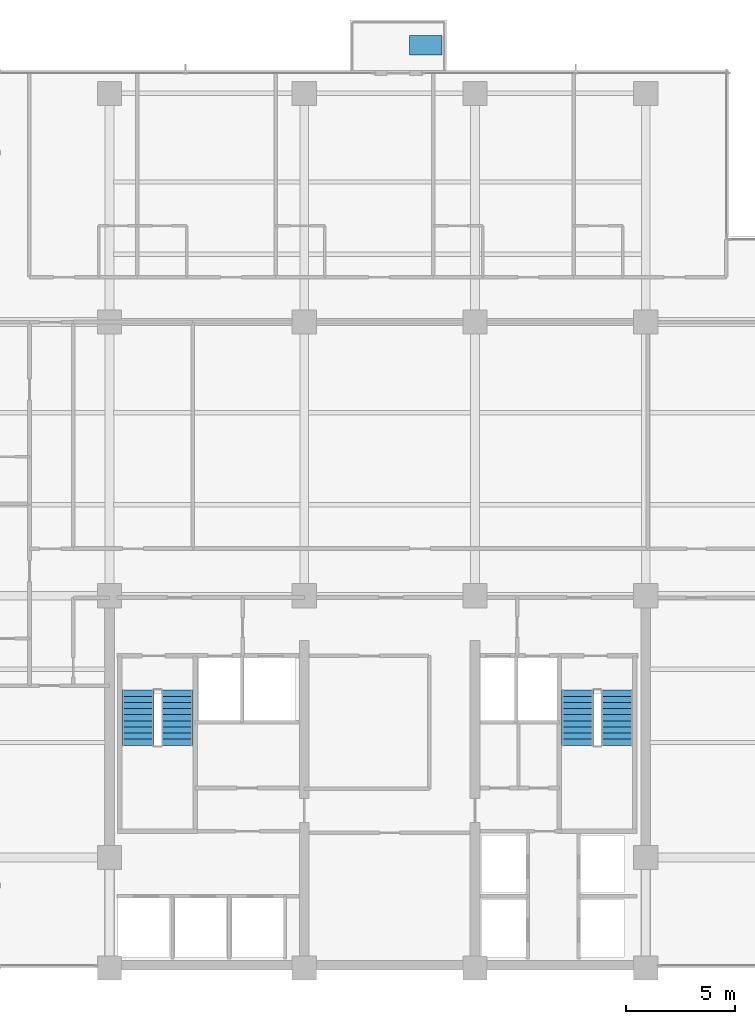
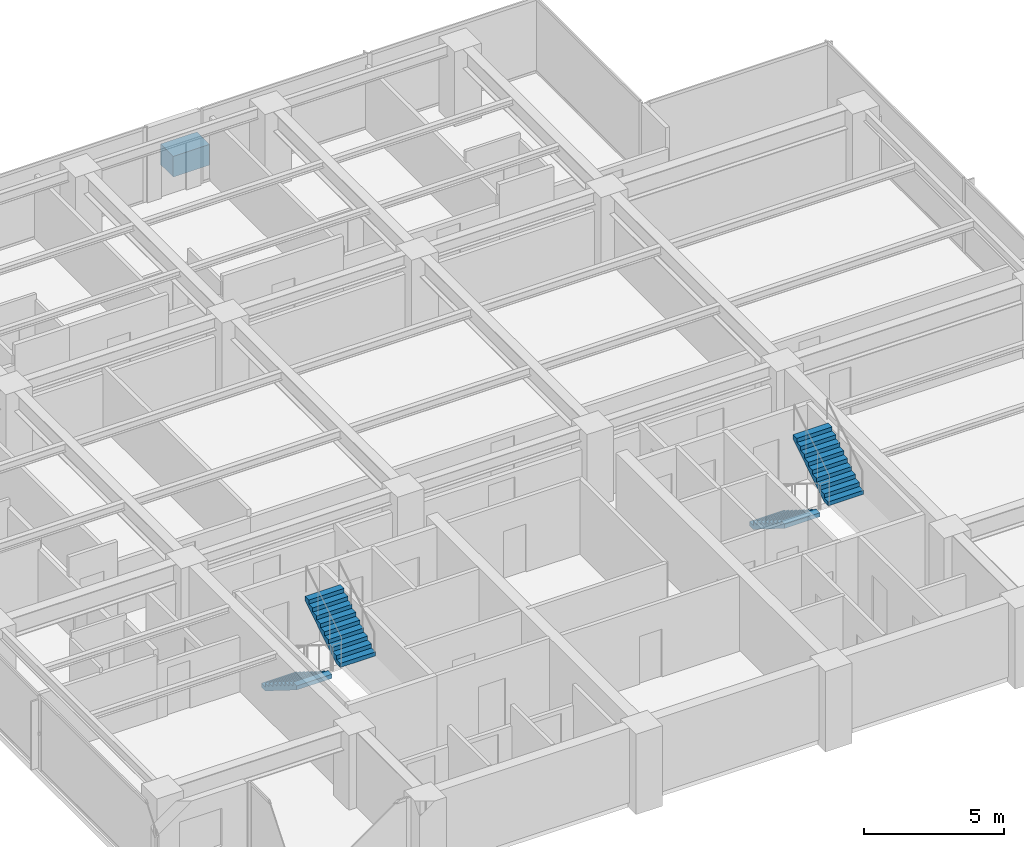
# One storey, part 10 of 15: 4 stair flights, 1 discrete accessory, 2 elements without a shape of their own.
"""IFC4 building model written with IfcOpenShell, lengths in metres."""

from ifc_helpers import new_model, si_unit, direction, frame, origin, place, context, subcontext, project, spatial, polyline, outline, extrude, material, layer, layer_set, type_object, element, aggregate, save


model = new_model("IFC4")

# Units and contexts
model_context = context("Model", 3, precision=1e-05, world=origin(), true_north=direction((0.0, 1.0)))
body_context = subcontext(model_context, "Body", "Model", "MODEL_VIEW")
ifc_project = project(units=[si_unit("LENGTHUNIT", "METRE"), si_unit("AREAUNIT", "SQUARE_METRE"), si_unit("VOLUMEUNIT", "CUBIC_METRE"), si_unit("PLANEANGLEUNIT", "RADIAN"), si_unit("MASSUNIT", "GRAM", prefix="KILO")], contexts=[model_context])

# Site, building, storey
site_placement = place(None, origin())
site = spatial("IfcSite", under=ifc_project, at=site_placement, CompositionType="ELEMENT")
building_placement = place(site_placement, origin())
building = spatial("IfcBuilding", under=site, at=building_placement, Name="Qalmaran Belvedere Hotel", CompositionType="ELEMENT")
storey_placement = place(building_placement, frame((0.0, 0.0, 170.10009765625)))
storey = spatial("IfcBuildingStorey", under=building, at=storey_placement, Name="L43", CompositionType="ELEMENT", Elevation=170.10009765625)

# Stair, stair flights
ifc_material = material(Name="Concrete C40/50", Category="concrete")
stair_type_1 = type_object("IfcStairType", Name="STR-ST-1-1450-R1750", PredefinedType="HALF_TURN_STAIR", material=ifc_material)
stair_1_placement = place(storey_placement, origin())
stair_1 = element("IfcStair", 1, at=stair_1_placement, inside=storey, type_object=stair_type_1, Name="L43 West Core Exit Stair ST-1", PredefinedType="HALF_TURN_STAIR")
ifc_layer_1 = layer(ifc_material, 0.14990234375, Name="Concrete C40/50")
ifc_layer_set_1 = layer_set([ifc_layer_1], Name="Concrete C40/50")
stair_flight_type_1 = type_object("IfcStairFlightType", Name="STF-ST-1-1450-R1750", PredefinedType="STRAIGHT", material=ifc_layer_set_1)
stair_flight_1_placement = place(storey_placement, frame((21.60498046875, 16.18994140625, 0.0), z_axis=(0.0, 0.0, 1.0), x_axis=(0.0, -1.0, 0.0)))
stair_flight_1 = element("IfcStairFlight", 2, at=stair_flight_1_placement, type_object=stair_flight_type_1, Name="ST-1 flight 1", NumberOfRisers=10, NumberOfTreads=9, PredefinedType="STRAIGHT", RiserHeight=0.175, TreadLength=0.28, context=body_context, shape_type="SweptSolid", body=[
    extrude(outline(polyline([(0.0, 0.0), (0.0, 0.175048828125), (0.280029296875, 0.175048828125), (0.280029296875, 0.35009765625), (0.56005859375, 0.35009765625), (0.56005859375, 0.52490234375), (0.840087890625, 0.52490234375), (0.840087890625, 0.699951171875), (1.1201171875, 0.699951171875), (1.1201171875, 0.875), (1.39990234375, 0.875), (1.39990234375, 1.050048828125), (1.679931640625, 1.050048828125), (1.679931640625, 1.22509765625), (1.9599609375, 1.22509765625), (1.9599609375, 1.39990234375), (2.239990234375, 1.39990234375), (2.239990234375, 1.574951171875), (2.52001953125, 1.574951171875), (2.52001953125, 1.75), (2.52001953125, 1.398193359375), (0.28271484375, 0.0), (0.0, 0.0)])), frame((0.0, 0.72509765625, 0.0), z_axis=(0.0, -1.0, 0.0), x_axis=(1.0, 0.0, 0.0)), (0.0, 0.0, 1.0), 1.449951171875),
])
stair_flight_2_placement = place(storey_placement, frame((23.39501953125, 13.669921875, 1.75), z_axis=(0.0, 0.0, 1.0), x_axis=(0.0, 1.0, 0.0)))
stair_flight_2 = element("IfcStairFlight", 3, at=stair_flight_2_placement, type_object=stair_flight_type_1, Name="ST-1 flight 2", NumberOfRisers=10, NumberOfTreads=9, PredefinedType="STRAIGHT", RiserHeight=0.175, TreadLength=0.28, context=body_context, shape_type="SweptSolid", body=[
    extrude(outline(polyline([(0.0, 0.0), (0.0, 0.175048828125), (0.280029296875, 0.175048828125), (0.280029296875, 0.35009765625), (0.56005859375, 0.35009765625), (0.56005859375, 0.52490234375), (0.840087890625, 0.52490234375), (0.840087890625, 0.699951171875), (1.1201171875, 0.699951171875), (1.1201171875, 0.875), (1.39990234375, 0.875), (1.39990234375, 1.050048828125), (1.679931640625, 1.050048828125), (1.679931640625, 1.22509765625), (1.9599609375, 1.22509765625), (1.9599609375, 1.39990234375), (2.239990234375, 1.39990234375), (2.239990234375, 1.574951171875), (2.52001953125, 1.574951171875), (2.52001953125, 1.75), (2.52001953125, 1.398193359375), (0.28271484375, 0.0), (0.0, 0.0)])), frame((0.0, 0.72509765625, 0.0), z_axis=(0.0, -1.0, 0.0), x_axis=(1.0, 0.0, 0.0)), (0.0, 0.0, 1.0), 1.449951171875),
])
aggregate(stair_1, [stair_flight_1, stair_flight_2])

stair_type_2 = type_object("IfcStairType", Name="STR-ST-2-1450-R1750", PredefinedType="HALF_TURN_STAIR", material=ifc_material)
stair_2_placement = place(storey_placement, origin())
stair_2 = element("IfcStair", 4, at=stair_2_placement, inside=storey, type_object=stair_type_2, Name="L43 East Core Exit Stair ST-2", PredefinedType="HALF_TURN_STAIR")
ifc_layer_2 = layer(ifc_material, 0.14990234375, Name="Concrete C40/50")
ifc_layer_set_2 = layer_set([ifc_layer_2], Name="Concrete C40/50")
stair_flight_type_2 = type_object("IfcStairFlightType", Name="STF-ST-2-1450-R1750", PredefinedType="STRAIGHT", material=ifc_layer_set_2)
stair_flight_3_placement = place(storey_placement, frame((41.68505859375, 16.18994140625, 0.0), z_axis=(0.0, 0.0, 1.0), x_axis=(0.0, -1.0, 0.0)))
stair_flight_3 = element("IfcStairFlight", 5, at=stair_flight_3_placement, type_object=stair_flight_type_2, Name="ST-2 flight 1", NumberOfRisers=10, NumberOfTreads=9, PredefinedType="STRAIGHT", RiserHeight=0.175, TreadLength=0.28, context=body_context, shape_type="SweptSolid", body=[
    extrude(outline(polyline([(0.0, 0.0), (0.0, 0.175048828125), (0.280029296875, 0.175048828125), (0.280029296875, 0.35009765625), (0.56005859375, 0.35009765625), (0.56005859375, 0.52490234375), (0.840087890625, 0.52490234375), (0.840087890625, 0.699951171875), (1.1201171875, 0.699951171875), (1.1201171875, 0.875), (1.39990234375, 0.875), (1.39990234375, 1.050048828125), (1.679931640625, 1.050048828125), (1.679931640625, 1.22509765625), (1.9599609375, 1.22509765625), (1.9599609375, 1.39990234375), (2.239990234375, 1.39990234375), (2.239990234375, 1.574951171875), (2.52001953125, 1.574951171875), (2.52001953125, 1.75), (2.52001953125, 1.398193359375), (0.28271484375, 0.0), (0.0, 0.0)])), frame((0.0, 0.72509765625, 0.0), z_axis=(0.0, -1.0, 0.0), x_axis=(1.0, 0.0, 0.0)), (0.0, 0.0, 1.0), 1.449951171875),
])
stair_flight_4_placement = place(storey_placement, frame((43.47509765625, 13.669921875, 1.75), z_axis=(0.0, 0.0, 1.0), x_axis=(0.0, 1.0, 0.0)))
stair_flight_4 = element("IfcStairFlight", 6, at=stair_flight_4_placement, type_object=stair_flight_type_2, Name="ST-2 flight 2", NumberOfRisers=10, NumberOfTreads=9, PredefinedType="STRAIGHT", RiserHeight=0.175, TreadLength=0.28, context=body_context, shape_type="SweptSolid", body=[
    extrude(outline(polyline([(0.0, 0.0), (0.0, 0.175048828125), (0.280029296875, 0.175048828125), (0.280029296875, 0.35009765625), (0.56005859375, 0.35009765625), (0.56005859375, 0.52490234375), (0.840087890625, 0.52490234375), (0.840087890625, 0.699951171875), (1.1201171875, 0.699951171875), (1.1201171875, 0.875), (1.39990234375, 0.875), (1.39990234375, 1.050048828125), (1.679931640625, 1.050048828125), (1.679931640625, 1.22509765625), (1.9599609375, 1.22509765625), (1.9599609375, 1.39990234375), (2.239990234375, 1.39990234375), (2.239990234375, 1.574951171875), (2.52001953125, 1.574951171875), (2.52001953125, 1.75), (2.52001953125, 1.398193359375), (0.28271484375, 0.0), (0.0, 0.0)])), frame((0.0, 0.72509765625, 0.0), z_axis=(0.0, -1.0, 0.0), x_axis=(1.0, 0.0, 0.0)), (0.0, 0.0, 1.0), 1.449951171875),
])
aggregate(stair_2, [stair_flight_3, stair_flight_4])

# Discrete accessory
discrete_accessory_type = type_object("IfcDiscreteAccessoryType", Name="PLN-BAL-1500", PredefinedType="USERDEFINED", material=ifc_material)
discrete_accessory_placement = place(storey_placement, origin())
element("IfcDiscreteAccessory", 7, at=discrete_accessory_placement, inside=storey, type_object=discrete_accessory_type, Name="L43 Sky Tree Planter", ObjectType="PLANTER", PredefinedType="USERDEFINED", context=body_context, shape_type="SweptSolid", body=[
    extrude(outline(polyline([(34.0, 45.199951171875), (35.5, 45.199951171875), (35.5, 46.10009765625), (34.0, 46.10009765625), (34.0, 45.199951171875)])), origin(), (0.0, 0.0, 1.0), 0.89990234375),
])

save(model, "model.ifc")
